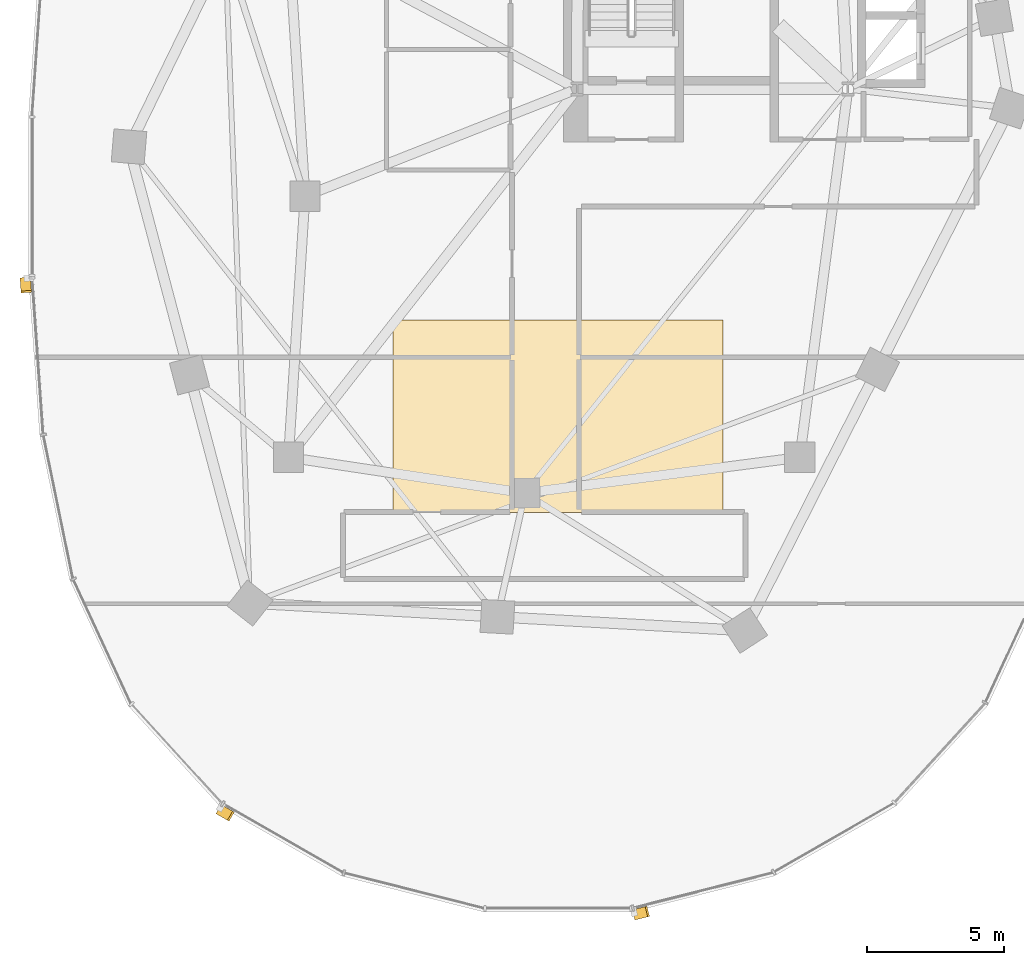
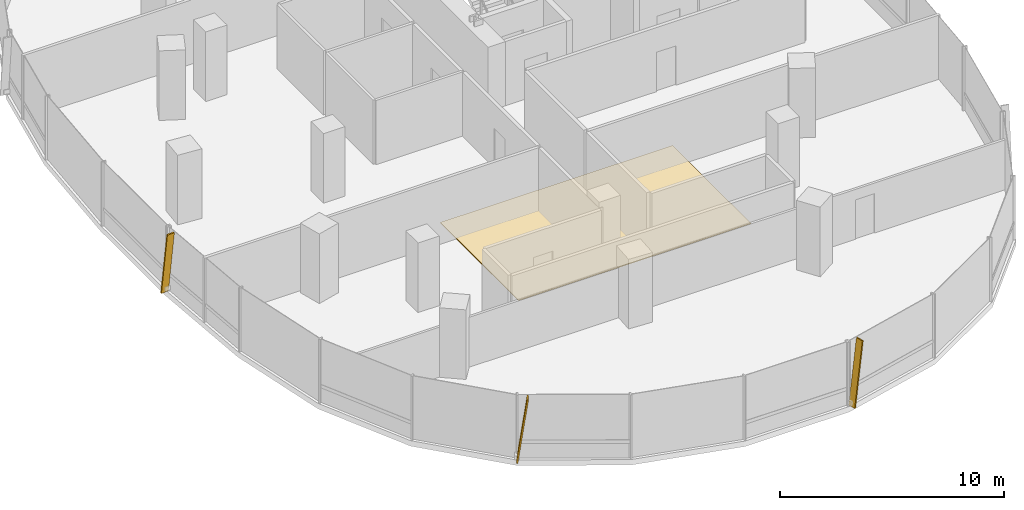
# One storey, part 17 of 21: 3 shading devices, 1 covering.
"""IFC4 building model written with IfcOpenShell, lengths in metres."""

from ifc_helpers import new_model, si_unit, direction, frame, origin, origin_2d, place, context, subcontext, project, spatial, polyline, rectangle, outline, extrude, material, layer, layer_set, material_profile, profile_set, type_object, element, save


model = new_model("IFC4")

# Units and contexts
model_context = context("Model", 3, precision=1e-05, world=origin(), true_north=direction((0.0, 1.0)))
body_context = subcontext(model_context, "Body", "Model", "MODEL_VIEW")
ifc_project = project(units=[si_unit("LENGTHUNIT", "METRE"), si_unit("AREAUNIT", "SQUARE_METRE"), si_unit("VOLUMEUNIT", "CUBIC_METRE"), si_unit("PLANEANGLEUNIT", "RADIAN"), si_unit("MASSUNIT", "GRAM", prefix="KILO"), si_unit("THERMODYNAMICTEMPERATUREUNIT", "KELVIN"), si_unit("POWERUNIT", "WATT")], contexts=[model_context])

# Site, building, storey
site_placement = place(None, origin())
site = spatial("IfcSite", under=ifc_project, at=site_placement, CompositionType="ELEMENT")
building_placement = place(site_placement, origin())
building = spatial("IfcBuilding", under=site, at=building_placement, Name="Cundina Bronze Exchange", CompositionType="ELEMENT")
storey_placement = place(building_placement, frame((0.0, 0.0, 58.199951171875)))
storey = spatial("IfcBuildingStorey", under=building, at=storey_placement, Name="L14", CompositionType="ELEMENT", Elevation=58.199951171875)

# Covering
ifc_material_1 = material(Name="Raised Access Steel-Cementitious Floor Panel 40mm", Category="steel")
ifc_layer = layer(ifc_material_1, 0.0400390625, Name="Raised Access Steel-Cementitious Floor Panel 40mm", Category="steel")
ifc_layer_set = layer_set([ifc_layer], Name="Raised Access Steel-Cementitious Floor Panel 40mm")
covering_type = type_object("IfcCoveringType", Name="COV-FLR-RAF40", PredefinedType="FLOORING", material=ifc_layer_set)
covering_placement = place(storey_placement, origin())
element("IfcCovering", 1, at=covering_placement, inside=storey, type_object=covering_type, Name="L14 W UFAD Raised Access Trading Floor", PredefinedType="FLOORING", context=body_context, shape_type="SweptSolid", body=[
    extrude(outline(polyline([(-38.0, -11.5), (-26.0, -11.5), (-26.0, -4.5), (-38.0, -4.5), (-38.0, -11.5)])), origin(), (0.0, 0.0, 1.0), 0.0400390625),
])

# Shading devices
ifc_material_2 = material(Name="Anodised Bronze Aluminium 6063-T6", Category="aluminium")
ifc_material_profile = material_profile(ifc_material_2, rectangle(XDim=0.070068359375, YDim=0.3798828125, at=origin_2d()), Name="FIN70X380", Category="aluminium")
ifc_profile_set = profile_set([ifc_material_profile], Name="Anodised Bronze Aluminium 6063-T6")
shading_device_type = type_object("IfcShadingDeviceType", Name="SHD-FIN-BRZ380", PredefinedType="USERDEFINED", material=ifc_profile_set)
for number, where, z_axis, x_axis, name in (
    (2, (-51.3740234375, -2.993896484375, 0.02001953125), (0.009645159174, -0.137059109714, 0.990515911709), (-0.06953288269, 0.988072340253, 0.137398066402), "L14 Diagonal Bronze Solar Fin 1"),
    (3, (-44.314208984375, -22.314208984375, 0.02001953125), (0.119166378275, -0.06842456559, 0.990513731915), (-0.85898178632, 0.493221799887, 0.137413779831), "L14 Diagonal Bronze Solar Fin 5"),
    (4, (-29.212646484375, -26.138427734375, 0.02001953125), (0.133214830938, 0.033688115694, 0.990514472221), (-0.960284642503, -0.242842181368, 0.137408443412), "L14 Diagonal Bronze Solar Fin 1"),
):
    element("IfcShadingDevice", number, at=place(storey_placement, frame(where, z_axis=z_axis, x_axis=x_axis)), inside=storey, type_object=shading_device_type, Name=name, ObjectType="FIN", PredefinedType="USERDEFINED", context=body_context, shape_type="SweptSolid", body=[
        extrude(rectangle(XDim=0.070068359375, YDim=0.3798828125, at=origin_2d()), origin(), (0.0, 0.0, 1.0), 3.4931640625),
    ])

save(model, "model.ifc")
